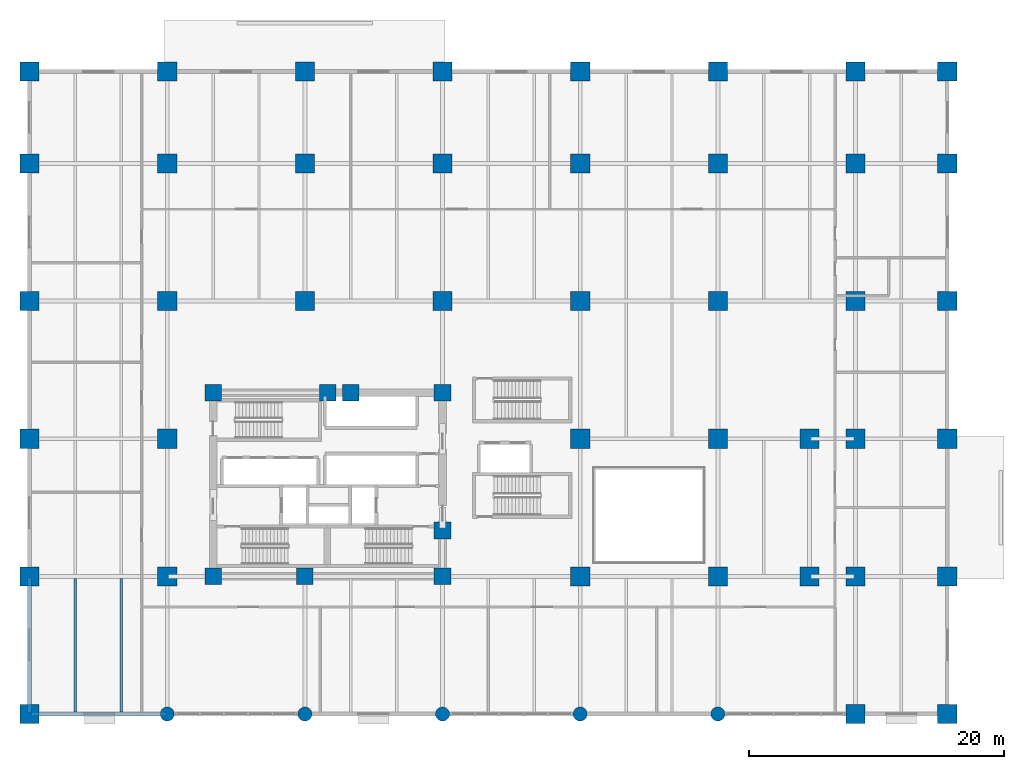
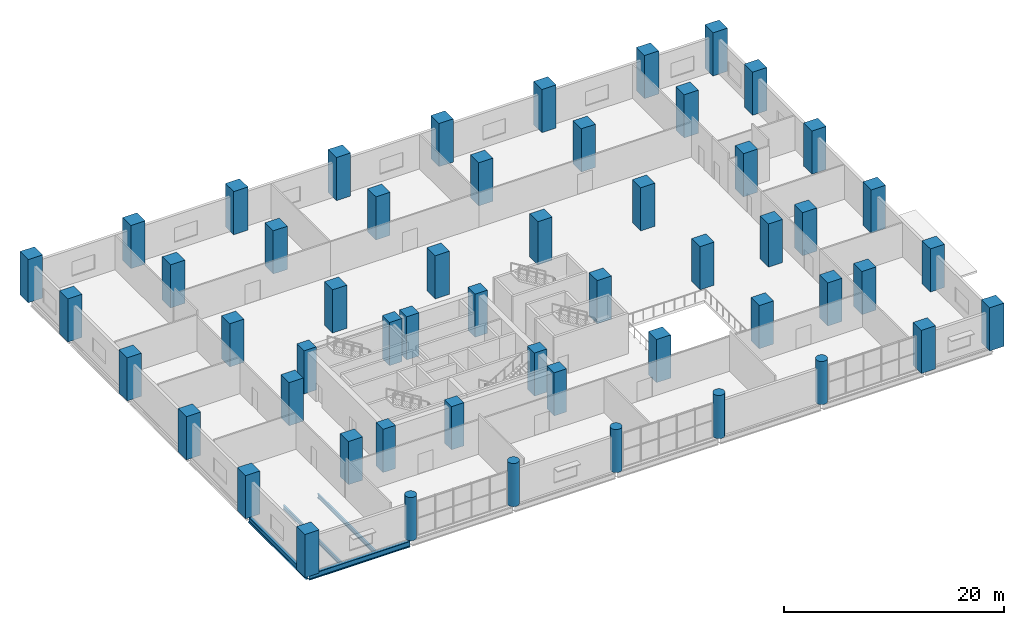
# One storey, part 1 of 16: 54 columns, 4 beams.
"""IFC4 building model written with IfcOpenShell, lengths in metres."""

from ifc_helpers import new_model, si_unit, direction, frame, origin, origin_2d, place, context, subcontext, project, spatial, rectangle, circle, i_section, extrude, material, material_profile, profile_set, type_object, element, save


model = new_model("IFC4")

# Units and contexts
model_context = context("Model", 3, precision=1e-05, world=origin(), true_north=direction((0.0, 1.0)))
body_context = subcontext(model_context, "Body", "Model", "MODEL_VIEW")
ifc_project = project(units=[si_unit("LENGTHUNIT", "METRE"), si_unit("AREAUNIT", "SQUARE_METRE"), si_unit("VOLUMEUNIT", "CUBIC_METRE"), si_unit("PLANEANGLEUNIT", "RADIAN"), si_unit("MASSUNIT", "GRAM", prefix="KILO")], contexts=[model_context])

# Site, building, storey
site_placement = place(None, origin())
site = spatial("IfcSite", under=ifc_project, at=site_placement, CompositionType="ELEMENT")
building_placement = place(site_placement, origin())
building = spatial("IfcBuilding", under=site, at=building_placement, Name="Solnavia Interchange Tower", CompositionType="ELEMENT")
storey_placement = place(building_placement, frame((0.0, 0.0, 5.39990234375)))
storey = spatial("IfcBuildingStorey", under=building, at=storey_placement, Name="L01", CompositionType="ELEMENT", Elevation=5.39990234375)

# Columns
ifc_material_1 = material(Name="Concrete C60/75", Category="concrete")
ifc_material_profile_1 = material_profile(ifc_material_1, rectangle(XDim=1.300048828125, YDim=1.300048828125, at=origin_2d()), Name="RC 1300x1300")
ifc_profile_set_1 = profile_set([ifc_material_profile_1], Name="Concrete C60/75")
column_type_1 = type_object("IfcColumnType", Name="Col-RC-1300x1300", PredefinedType="COLUMN", material=ifc_profile_set_1)
for number, where, z_axis, x_axis, name in (
    (1, (14.39990234375, 10.800048828125, 0.0), (0.0, 0.0, 1.0), (1.0, 0.0, 0.0), "COL-L01-P13 Podium core column"),
    (2, (14.39990234375, 25.199951171875, 0.0), (0.0, 0.0, 1.0), (1.0, 0.0, 0.0), "COL-L01-P14 Podium core column"),
    (3, (21.60009765625, 10.800048828125, 0.0), (0.0, 0.0, 1.0), (1.0, 0.0, 0.0), "COL-L01-P16 Podium core column"),
    (4, (23.39990234375, 25.199951171875, 0.0), (0.0, 0.0, 1.0), (1.0, 0.0, 0.0), "COL-L01-P20 Podium core column"),
    (5, (25.199951171875, 25.199951171875, 0.0), (0.0, 0.0, 1.0), (1.0, 0.0, 0.0), "COL-L01-P21 Podium core column"),
    (6, (32.39990234375, 10.800048828125, 0.0), (0.0, 0.0, 1.0), (1.0, 0.0, 0.0), "COL-L01-P23 Podium core column"),
    (7, (32.39990234375, 14.39990234375, 0.0), (0.0, 0.0, 1.0), (1.0, 0.0, 0.0), "COL-L01-P24 Podium core column"),
    (8, (32.39990234375, 25.199951171875, 0.0), (0.0, 0.0, 1.0), (1.0, 0.0, 0.0), "COL-L01-P25 Podium core column"),
):
    element("IfcColumn", number, at=place(storey_placement, frame(where, z_axis=z_axis, x_axis=x_axis)), inside=storey, type_object=column_type_1, Name=name, PredefinedType="COLUMN", context=body_context, shape_type="SweptSolid", body=[
        extrude(rectangle(XDim=1.300048828125, YDim=1.300048828125, at=origin_2d()), origin(), (0.0, 0.0, 1.0), 4.800048828125),
    ])
ifc_material_profile_2 = material_profile(ifc_material_1, rectangle(XDim=1.5, YDim=1.5, at=origin_2d()), Name="RC 1500x1500")
ifc_profile_set_2 = profile_set([ifc_material_profile_2], Name="Concrete C60/75")
column_type_2 = type_object("IfcColumnType", Name="Col-RC-1500x1500", PredefinedType="COLUMN", material=ifc_profile_set_2)
for number, where, z_axis, x_axis, name in (
    (9, (0.0, 0.0, 0.0), (0.0, 0.0, 1.0), (1.0, 0.0, 0.0), "COL-L01-P01 Podium concourse column"),
    (10, (0.0, 10.800048828125, 0.0), (0.0, 0.0, 1.0), (1.0, 0.0, 0.0), "COL-L01-P02 Podium concourse column"),
    (11, (0.0, 21.60009765625, 0.0), (0.0, 0.0, 1.0), (1.0, 0.0, 0.0), "COL-L01-P03 Podium concourse column"),
    (12, (0.0, 32.39990234375, 0.0), (0.0, 0.0, 1.0), (1.0, 0.0, 0.0), "COL-L01-P04 Podium concourse column"),
    (13, (0.0, 43.199951171875, 0.0), (0.0, 0.0, 1.0), (1.0, 0.0, 0.0), "COL-L01-P05 Podium concourse column"),
    (14, (0.0, 50.39990234375, 0.0), (0.0, 0.0, 1.0), (1.0, 0.0, 0.0), "COL-L01-P06 Podium concourse column"),
    (15, (10.800048828125, 10.800048828125, 0.0), (0.0, 0.0, 1.0), (1.0, 0.0, 0.0), "COL-L01-P08 Podium concourse column"),
    (16, (10.800048828125, 21.60009765625, 0.0), (0.0, 0.0, 1.0), (1.0, 0.0, 0.0), "COL-L01-P09 Podium concourse column"),
    (17, (10.800048828125, 32.39990234375, 0.0), (0.0, 0.0, 1.0), (1.0, 0.0, 0.0), "COL-L01-P10 Podium concourse column"),
    (18, (10.800048828125, 43.199951171875, 0.0), (0.0, 0.0, 1.0), (1.0, 0.0, 0.0), "COL-L01-P11 Podium concourse column"),
    (19, (10.800048828125, 50.39990234375, 0.0), (0.0, 0.0, 1.0), (1.0, 0.0, 0.0), "COL-L01-P12 Podium concourse column"),
    (20, (21.60009765625, 32.39990234375, 0.0), (0.0, 0.0, 1.0), (1.0, 0.0, 0.0), "COL-L01-P17 Podium concourse column"),
    (21, (21.60009765625, 43.199951171875, 0.0), (0.0, 0.0, 1.0), (1.0, 0.0, 0.0), "COL-L01-P18 Podium concourse column"),
    (22, (21.60009765625, 50.39990234375, 0.0), (0.0, 0.0, 1.0), (1.0, 0.0, 0.0), "COL-L01-P19 Podium concourse column"),
    (23, (32.39990234375, 32.39990234375, 0.0), (0.0, 0.0, 1.0), (1.0, 0.0, 0.0), "COL-L01-P26 Podium concourse column"),
    (24, (32.39990234375, 43.199951171875, 0.0), (0.0, 0.0, 1.0), (1.0, 0.0, 0.0), "COL-L01-P27 Podium concourse column"),
    (25, (32.39990234375, 50.39990234375, 0.0), (0.0, 0.0, 1.0), (1.0, 0.0, 0.0), "COL-L01-P28 Podium concourse column"),
    (26, (43.199951171875, 10.800048828125, 0.0), (0.0, 0.0, 1.0), (1.0, 0.0, 0.0), "COL-L01-P30 Podium concourse column"),
    (27, (43.199951171875, 21.60009765625, 0.0), (0.0, 0.0, 1.0), (1.0, 0.0, 0.0), "COL-L01-P31 Podium concourse column"),
    (28, (43.199951171875, 32.39990234375, 0.0), (0.0, 0.0, 1.0), (1.0, 0.0, 0.0), "COL-L01-P32 Podium concourse column"),
    (29, (43.199951171875, 43.199951171875, 0.0), (0.0, 0.0, 1.0), (1.0, 0.0, 0.0), "COL-L01-P33 Podium concourse column"),
    (30, (43.199951171875, 50.39990234375, 0.0), (0.0, 0.0, 1.0), (1.0, 0.0, 0.0), "COL-L01-P34 Podium concourse column"),
    (31, (54.0, 10.800048828125, 0.0), (0.0, 0.0, 1.0), (1.0, 0.0, 0.0), "COL-L01-P36 Podium concourse column"),
    (32, (54.0, 21.60009765625, 0.0), (0.0, 0.0, 1.0), (1.0, 0.0, 0.0), "COL-L01-P37 Podium concourse column"),
    (33, (54.0, 32.39990234375, 0.0), (0.0, 0.0, 1.0), (1.0, 0.0, 0.0), "COL-L01-P38 Podium concourse column"),
    (34, (54.0, 43.199951171875, 0.0), (0.0, 0.0, 1.0), (1.0, 0.0, 0.0), "COL-L01-P39 Podium concourse column"),
    (35, (54.0, 50.39990234375, 0.0), (0.0, 0.0, 1.0), (1.0, 0.0, 0.0), "COL-L01-P40 Podium concourse column"),
    (36, (61.199951171875, 10.800048828125, 0.0), (0.0, 0.0, 1.0), (1.0, 0.0, 0.0), "COL-L01-P41 Podium concourse column"),
    (37, (61.199951171875, 21.60009765625, 0.0), (0.0, 0.0, 1.0), (1.0, 0.0, 0.0), "COL-L01-P42 Podium concourse column"),
    (38, (64.800048828125, 0.0, 0.0), (0.0, 0.0, 1.0), (1.0, 0.0, 0.0), "COL-L01-P43 Podium concourse column"),
    (39, (64.800048828125, 10.800048828125, 0.0), (0.0, 0.0, 1.0), (1.0, 0.0, 0.0), "COL-L01-P44 Podium concourse column"),
    (40, (64.800048828125, 21.60009765625, 0.0), (0.0, 0.0, 1.0), (1.0, 0.0, 0.0), "COL-L01-P45 Podium concourse column"),
    (41, (64.800048828125, 32.39990234375, 0.0), (0.0, 0.0, 1.0), (1.0, 0.0, 0.0), "COL-L01-P46 Podium concourse column"),
    (42, (64.800048828125, 43.199951171875, 0.0), (0.0, 0.0, 1.0), (1.0, 0.0, 0.0), "COL-L01-P47 Podium concourse column"),
    (43, (64.800048828125, 50.39990234375, 0.0), (0.0, 0.0, 1.0), (1.0, 0.0, 0.0), "COL-L01-P48 Podium concourse column"),
    (44, (72.0, 0.0, 0.0), (0.0, 0.0, 1.0), (1.0, 0.0, 0.0), "COL-L01-P49 Podium concourse column"),
    (45, (72.0, 10.800048828125, 0.0), (0.0, 0.0, 1.0), (1.0, 0.0, 0.0), "COL-L01-P50 Podium concourse column"),
    (46, (72.0, 21.60009765625, 0.0), (0.0, 0.0, 1.0), (1.0, 0.0, 0.0), "COL-L01-P51 Podium concourse column"),
    (47, (72.0, 32.39990234375, 0.0), (0.0, 0.0, 1.0), (1.0, 0.0, 0.0), "COL-L01-P52 Podium concourse column"),
    (48, (72.0, 43.199951171875, 0.0), (0.0, 0.0, 1.0), (1.0, 0.0, 0.0), "COL-L01-P53 Podium concourse column"),
    (49, (72.0, 50.39990234375, 0.0), (0.0, 0.0, 1.0), (1.0, 0.0, 0.0), "COL-L01-P54 Podium concourse column"),
):
    element("IfcColumn", number, at=place(storey_placement, frame(where, z_axis=z_axis, x_axis=x_axis)), inside=storey, type_object=column_type_2, Name=name, PredefinedType="COLUMN", context=body_context, shape_type="SweptSolid", body=[
        extrude(rectangle(XDim=1.5, YDim=1.5, at=origin_2d()), origin(), (0.0, 0.0, 1.0), 4.800048828125),
    ])
ifc_material_profile_3 = material_profile(ifc_material_1, circle(Radius=0.550048828125, at=origin_2d()), Name="RC D1100")
ifc_profile_set_3 = profile_set([ifc_material_profile_3], Name="Concrete C60/75")
column_type_3 = type_object("IfcColumnType", Name="Col-RC-D1100", PredefinedType="COLUMN", material=ifc_profile_set_3)
for number, where, z_axis, x_axis, name in (
    (50, (10.800048828125, 0.0, 0.0), (0.0, 0.0, 1.0), (1.0, 0.0, 0.0), "COL-L01-P07 Podium concourse column"),
    (51, (21.60009765625, 0.0, 0.0), (0.0, 0.0, 1.0), (1.0, 0.0, 0.0), "COL-L01-P15 Podium concourse column"),
    (52, (32.39990234375, 0.0, 0.0), (0.0, 0.0, 1.0), (1.0, 0.0, 0.0), "COL-L01-P22 Podium concourse column"),
    (53, (43.199951171875, 0.0, 0.0), (0.0, 0.0, 1.0), (1.0, 0.0, 0.0), "COL-L01-P29 Podium concourse column"),
    (54, (54.0, 0.0, 0.0), (0.0, 0.0, 1.0), (1.0, 0.0, 0.0), "COL-L01-P35 Podium concourse column"),
):
    element("IfcColumn", number, at=place(storey_placement, frame(where, z_axis=z_axis, x_axis=x_axis)), inside=storey, type_object=column_type_3, Name=name, PredefinedType="COLUMN", context=body_context, shape_type="SweptSolid", body=[
        extrude(circle(Radius=0.550048828125, at=origin_2d()), origin(), (0.0, 0.0, 1.0), 4.800048828125),
    ])

# Beams
ifc_material_2 = material(Name="Steel S460", Category="steel")
ifc_material_profile_4 = material_profile(ifc_material_2, i_section(OverallWidth=0.300048828125, OverallDepth=0.64990234375, WebThickness=0.01611328125, FlangeThickness=0.031005859375, FilletRadius=0.027099609375, at=origin_2d()), Name="HEB 650")
ifc_profile_set_4 = profile_set([ifc_material_profile_4], Name="Steel S460")
beam_type_1 = type_object("IfcBeamType", Name="Beam-Girder-HEB650", PredefinedType="BEAM", material=ifc_profile_set_4)
for number, where, z_axis, x_axis, name in (
    (55, (0.10009765625, 0.0, -0.625), (1.0, 0.0, 0.0), (0.0, 1.0, 0.0), "GRD-L01-01 Podium primary girder"),
    (56, (0.0, 0.10009765625, -0.625), (0.0, 1.0, 0.0), (-1.0, 0.0, 0.0), "GRD-L01-44 Podium primary girder"),
):
    element("IfcBeam", number, at=place(storey_placement, frame(where, z_axis=z_axis, x_axis=x_axis)), inside=storey, type_object=beam_type_1, Name=name, PredefinedType="BEAM", context=body_context, shape_type="SweptSolid", body=[
        extrude(i_section(OverallWidth=0.300048828125, OverallDepth=0.64990234375, WebThickness=0.01611328125, FlangeThickness=0.031005859375, FilletRadius=0.027099609375, at=origin_2d()), origin(), (0.0, 0.0, 1.0), 10.599853515625),
    ])
ifc_material_3 = material(Name="Steel S355", Category="steel")
ifc_material_profile_5 = material_profile(ifc_material_3, i_section(OverallWidth=0.18994140625, OverallDepth=0.449951171875, WebThickness=0.009521484375, FlangeThickness=0.0146484375, FilletRadius=0.02099609375, at=origin_2d()), Name="IPE 450")
ifc_profile_set_5 = profile_set([ifc_material_profile_5], Name="Steel S355")
beam_type_2 = type_object("IfcBeamType", Name="Beam-Joist-IPE450", PredefinedType="JOIST", material=ifc_profile_set_5)
for number, where, z_axis, x_axis, name in (
    (57, (3.60009765625, 0.14990234375, -0.52490234375), (0.0, 1.0, 0.0), (-1.0, 0.0, 0.0), "JST-L01-01 Podium composite floor joist"),
    (58, (7.199951171875, 0.14990234375, -0.52490234375), (0.0, 1.0, 0.0), (-1.0, 0.0, 0.0), "JST-L01-06 Podium composite floor joist"),
):
    element("IfcBeam", number, at=place(storey_placement, frame(where, z_axis=z_axis, x_axis=x_axis)), inside=storey, type_object=beam_type_2, Name=name, PredefinedType="JOIST", context=body_context, shape_type="SweptSolid", body=[
        extrude(i_section(OverallWidth=0.18994140625, OverallDepth=0.449951171875, WebThickness=0.009521484375, FlangeThickness=0.0146484375, FilletRadius=0.02099609375, at=origin_2d()), origin(), (0.0, 0.0, 1.0), 10.5),
    ])

save(model, "model.ifc")
